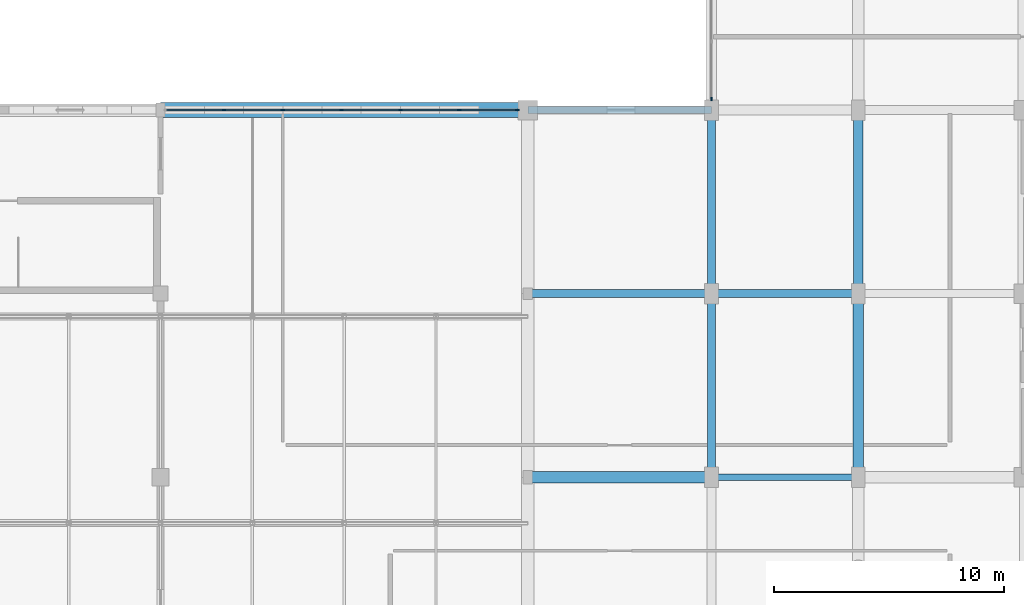
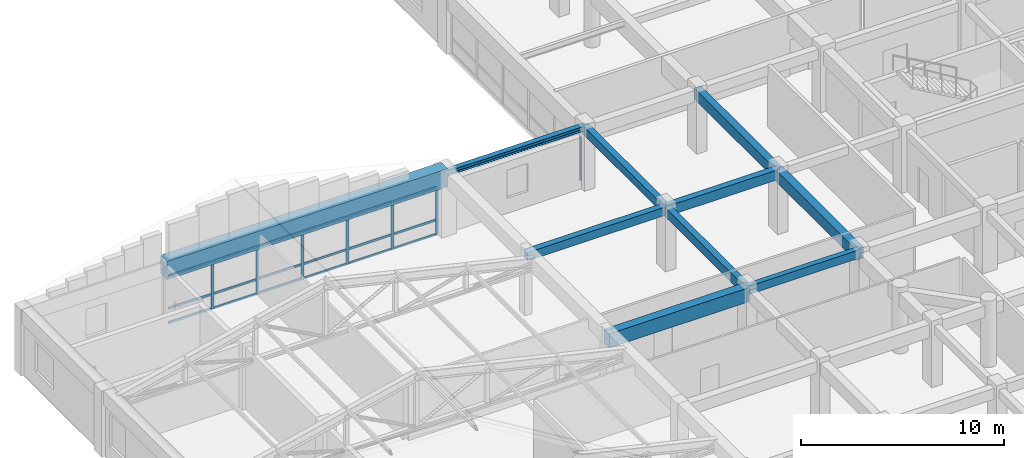
# One storey, part 7 of 27: 25 members, 10 beams, 2 elements without a shape of their own.
"""IFC4 building model written with IfcOpenShell, lengths in metres."""

from ifc_helpers import new_model, si_unit, direction, frame, origin, origin_2d, place, context, subcontext, project, spatial, rectangle, i_section, extrude, material, material_profile, profile_set, type_object, element, aggregate, save


model = new_model("IFC4")

# Units and contexts
model_context = context("Model", 3, precision=1e-05, world=origin(), true_north=direction((0.0, 1.0)))
body_context = subcontext(model_context, "Body", "Model", "MODEL_VIEW")
ifc_project = project(units=[si_unit("LENGTHUNIT", "METRE"), si_unit("AREAUNIT", "SQUARE_METRE"), si_unit("VOLUMEUNIT", "CUBIC_METRE"), si_unit("PLANEANGLEUNIT", "RADIAN"), si_unit("MASSUNIT", "GRAM", prefix="KILO")], contexts=[model_context])

# Site, building, storey
site_placement = place(None, origin())
site = spatial("IfcSite", under=ifc_project, at=site_placement, CompositionType="ELEMENT")
building_placement = place(site_placement, origin())
building = spatial("IfcBuilding", under=site, at=building_placement, Name="Vellmiral Cinema and Media Centre", CompositionType="ELEMENT")
storey_placement = place(building_placement, frame((0.0, 0.0, 19.800048828125)))
storey = spatial("IfcBuildingStorey", under=building, at=storey_placement, Name="L04", CompositionType="ELEMENT", Elevation=19.800048828125)

# Beams
ifc_material_1 = material(Name="Concrete C40/50", Category="concrete")
ifc_material_profile_1 = material_profile(ifc_material_1, rectangle(XDim=0.300048828125, YDim=0.5, at=origin_2d()), Name="RC 300x500")
ifc_profile_set_1 = profile_set([ifc_material_profile_1], Name="Concrete C40/50")
beam_type_1 = type_object("IfcBeamType", Name="BM-RC-300x500", PredefinedType="BEAM", material=ifc_profile_set_1)
beam_1_placement = place(storey_placement, frame((110.39990234375, 79.199951171875, 3.445068359375), z_axis=(1.0, 0.0, 0.0), x_axis=(0.0, 1.0, 0.0)))
element("IfcBeam", 1, at=beam_1_placement, inside=storey, type_object=beam_type_1, Name="Grid Beam L04-X025", PredefinedType="BEAM", context=body_context, shape_type="SweptSolid", body=[
    extrude(rectangle(XDim=0.300048828125, YDim=0.5, at=origin_2d()), origin(), (0.0, 0.0, 1.0), 6.400146484375),
])
ifc_material_2 = material(Name="Concrete C40/50", Category="concrete")
ifc_material_profile_2 = material_profile(ifc_material_2, rectangle(XDim=0.35009765625, YDim=0.5, at=origin_2d()), Name="RC 350x500")
ifc_profile_set_2 = profile_set([ifc_material_profile_2], Name="Concrete C40/50")
beam_type_2 = type_object("IfcBeamType", Name="BM-RC-350x500", PredefinedType="BEAM", material=ifc_profile_set_2)
for number, where, z_axis, x_axis, name in (
    (2, (102.39990234375, 87.199951171875, 3.445068359375), (1.0, 0.0, 0.0), (0.0, 1.0, 0.0), "Grid Beam L04-X032"),
    (3, (110.39990234375, 87.199951171875, 3.445068359375), (0.0, 1.0, 0.0), (-1.0, 0.0, 0.0), "Grid Beam L04-Y065"),
):
    element("IfcBeam", number, at=place(storey_placement, frame(where, z_axis=z_axis, x_axis=x_axis)), inside=storey, type_object=beam_type_2, Name=name, PredefinedType="BEAM", context=body_context, shape_type="SweptSolid", body=[
        extrude(rectangle(XDim=0.35009765625, YDim=0.5, at=origin_2d()), origin(), (0.0, 0.0, 1.0), 8.0),
    ])
ifc_material_3 = material(Name="Concrete C40/50", Category="concrete")
ifc_material_profile_3 = material_profile(ifc_material_3, rectangle(XDim=0.35009765625, YDim=0.550048828125, at=origin_2d()), Name="RC 350x550")
ifc_profile_set_3 = profile_set([ifc_material_profile_3], Name="Concrete C40/50")
beam_type_3 = type_object("IfcBeamType", Name="BM-RC-350x550", PredefinedType="BEAM", material=ifc_profile_set_3)
beam_2_placement = place(storey_placement, frame((110.39990234375, 79.199951171875, 3.419921875), z_axis=(0.0, 1.0, 0.0), x_axis=(-1.0, 0.0, 0.0)))
element("IfcBeam", 4, at=beam_2_placement, inside=storey, type_object=beam_type_3, Name="Grid Beam L04-Y064", PredefinedType="BEAM", context=body_context, shape_type="SweptSolid", body=[
    extrude(rectangle(XDim=0.35009765625, YDim=0.550048828125, at=origin_2d()), origin(), (0.0, 0.0, 1.0), 8.0),
])
ifc_material_4 = material(Name="Concrete C40/50", Category="concrete")
ifc_material_profile_4 = material_profile(ifc_material_4, rectangle(XDim=0.35009765625, YDim=0.60009765625, at=origin_2d()), Name="RC 350x600")
ifc_profile_set_4 = profile_set([ifc_material_profile_4], Name="Concrete C40/50")
beam_type_4 = type_object("IfcBeamType", Name="BM-RC-350x600", PredefinedType="BEAM", material=ifc_profile_set_4)
beam_3_placement = place(storey_placement, frame((110.39990234375, 87.199951171875, 3.39501953125), z_axis=(1.0, 0.0, 0.0), x_axis=(0.0, 1.0, 0.0)))
element("IfcBeam", 5, at=beam_3_placement, inside=storey, type_object=beam_type_4, Name="Grid Beam L04-X033", PredefinedType="BEAM", context=body_context, shape_type="SweptSolid", body=[
    extrude(rectangle(XDim=0.35009765625, YDim=0.60009765625, at=origin_2d()), origin(), (0.0, 0.0, 1.0), 6.400146484375),
])
ifc_material_5 = material(Name="Concrete C40/50", Category="concrete")
ifc_material_profile_5 = material_profile(ifc_material_5, rectangle(XDim=0.39990234375, YDim=0.64990234375, at=origin_2d()), Name="RC 400x650")
ifc_profile_set_5 = profile_set([ifc_material_profile_5], Name="Concrete C40/50")
beam_type_5 = type_object("IfcBeamType", Name="BM-RC-400x650", PredefinedType="BEAM", material=ifc_profile_set_5)
beam_4_placement = place(storey_placement, frame((116.800048828125, 87.199951171875, 3.369873046875), z_axis=(0.0, 1.0, 0.0), x_axis=(-1.0, 0.0, 0.0)))
element("IfcBeam", 6, at=beam_4_placement, inside=storey, type_object=beam_type_5, Name="Grid Beam L04-Y072", PredefinedType="BEAM", context=body_context, shape_type="SweptSolid", body=[
    extrude(rectangle(XDim=0.39990234375, YDim=0.64990234375, at=origin_2d()), origin(), (0.0, 0.0, 1.0), 8.0),
])
ifc_material_6 = material(Name="Concrete C40/50", Category="concrete")
ifc_material_profile_6 = material_profile(ifc_material_6, rectangle(XDim=0.449951171875, YDim=0.699951171875, at=origin_2d()), Name="RC 450x700")
ifc_profile_set_6 = profile_set([ifc_material_profile_6], Name="Concrete C40/50")
beam_type_6 = type_object("IfcBeamType", Name="BM-RC-450x700", PredefinedType="BEAM", material=ifc_profile_set_6)
beam_5_placement = place(storey_placement, frame((116.800048828125, 79.199951171875, 3.344970703125), z_axis=(0.0, 1.0, 0.0), x_axis=(-1.0, 0.0, 0.0)))
element("IfcBeam", 7, at=beam_5_placement, inside=storey, type_object=beam_type_6, Name="Grid Beam L04-Y071", PredefinedType="BEAM", context=body_context, shape_type="SweptSolid", body=[
    extrude(rectangle(XDim=0.449951171875, YDim=0.699951171875, at=origin_2d()), origin(), (0.0, 0.0, 1.0), 8.0),
])
ifc_material_7 = material(Name="Concrete C40/50", Category="concrete")
ifc_material_profile_7 = material_profile(ifc_material_7, rectangle(XDim=0.5, YDim=0.85009765625, at=origin_2d()), Name="RC 500x850")
ifc_profile_set_7 = profile_set([ifc_material_profile_7], Name="Concrete C40/50")
beam_type_7 = type_object("IfcBeamType", Name="BM-RC-500x850", PredefinedType="BEAM", material=ifc_profile_set_7)
beam_6_placement = place(storey_placement, frame((102.39990234375, 79.199951171875, 3.27001953125), z_axis=(1.0, 0.0, 0.0), x_axis=(0.0, 1.0, 0.0)))
element("IfcBeam", 8, at=beam_6_placement, inside=storey, type_object=beam_type_7, Name="Grid Beam L04-X024", PredefinedType="BEAM", context=body_context, shape_type="SweptSolid", body=[
    extrude(rectangle(XDim=0.5, YDim=0.85009765625, at=origin_2d()), origin(), (0.0, 0.0, 1.0), 8.0),
])

# Curtain wall, member
ifc_material_8 = material(Name="Thermally Broken Aluminium and Triple Glazing", Category="aluminium")
curtain_wall_type_1 = type_object("IfcCurtainWallType", Name="CW-TOWER-LOW-N", PredefinedType="USERDEFINED", material=ifc_material_8)
curtain_wall_1_placement = place(storey_placement, origin())
curtain_wall_1 = element("IfcCurtainWall", 9, at=curtain_wall_1_placement, inside=storey, type_object=curtain_wall_type_1, Name="Curtain Wall L04-B029", ObjectType="UNITISED CURTAIN WALL", PredefinedType="USERDEFINED")
ifc_material_9 = material(Name="Thermally Broken Anodised Aluminium", Category="aluminium")
ifc_material_profile_8 = material_profile(ifc_material_9, rectangle(XDim=0.06494140625, YDim=0.159912109375, at=origin_2d()), Name="MULL 65x160")
ifc_profile_set_8 = profile_set([ifc_material_profile_8], Name="Thermally Broken Anodised Aluminium")
member_type_1 = type_object("IfcMemberType", Name="CWM-65x160", PredefinedType="MULLION", material=ifc_profile_set_8)
member_1_placement = place(storey_placement, frame((110.39990234375, 95.6826171875, 0.0), z_axis=(0.0, 0.0, 1.0), x_axis=(1.0, 0.0, 0.0)))
member_1 = element("IfcMember", 10, at=member_1_placement, type_object=member_type_1, Name="CW-05 mullion 6", PredefinedType="MULLION", context=body_context, shape_type="SweptSolid", body=[
    extrude(rectangle(XDim=0.06494140625, YDim=0.159912109375, at=origin_2d()), origin(), (0.0, 0.0, 1.0), 2.635009765625),
])
aggregate(curtain_wall_1, [member_1])

# Curtain wall, members
ifc_material_10 = material(Name="Thermally Broken Aluminium and Triple Glazing", Category="aluminium")
curtain_wall_type_2 = type_object("IfcCurtainWallType", Name="CW-TOWER-LOW-S", PredefinedType="USERDEFINED", material=ifc_material_10)
curtain_wall_2_placement = place(storey_placement, origin())
curtain_wall_2 = element("IfcCurtainWall", 11, at=curtain_wall_2_placement, inside=storey, type_object=curtain_wall_type_2, Name="Curtain Wall L04-B031", ObjectType="UNITISED CURTAIN WALL", PredefinedType="USERDEFINED")
member_2_placement = place(storey_placement, frame((101.9423828125, 95.199951171875, 0.0), z_axis=(0.0, 0.0, 1.0), x_axis=(0.0, -1.0, 0.0)))
member_2 = element("IfcMember", 12, at=member_2_placement, type_object=member_type_1, Name="CW-06 mullion 1", PredefinedType="MULLION", context=body_context, shape_type="SweptSolid", body=[
    extrude(rectangle(XDim=0.06494140625, YDim=0.159912109375, at=origin_2d()), origin(), (0.0, 0.0, 1.0), 2.889892578125),
])
member_3_placement = place(storey_placement, frame((99.41259765625, 95.199951171875, 0.0), z_axis=(0.0, 0.0, 1.0), x_axis=(0.0, -1.0, 0.0)))
member_3 = element("IfcMember", 13, at=member_3_placement, type_object=member_type_1, Name="CW-06 mullion 2", PredefinedType="MULLION", context=body_context, shape_type="SweptSolid", body=[
    extrude(rectangle(XDim=0.06494140625, YDim=0.159912109375, at=origin_2d()), origin(), (0.0, 0.0, 1.0), 2.889892578125),
])
member_4_placement = place(storey_placement, frame((96.85009765625, 95.199951171875, 0.0), z_axis=(0.0, 0.0, 1.0), x_axis=(0.0, -1.0, 0.0)))
member_4 = element("IfcMember", 14, at=member_4_placement, type_object=member_type_1, Name="CW-06 mullion 3", PredefinedType="MULLION", context=body_context, shape_type="SweptSolid", body=[
    extrude(rectangle(XDim=0.06494140625, YDim=0.159912109375, at=origin_2d()), origin(), (0.0, 0.0, 1.0), 2.889892578125),
])
member_5_placement = place(storey_placement, frame((94.28759765625, 95.199951171875, 0.0), z_axis=(0.0, 0.0, 1.0), x_axis=(0.0, -1.0, 0.0)))
member_5 = element("IfcMember", 15, at=member_5_placement, type_object=member_type_1, Name="CW-06 mullion 4", PredefinedType="MULLION", context=body_context, shape_type="SweptSolid", body=[
    extrude(rectangle(XDim=0.06494140625, YDim=0.159912109375, at=origin_2d()), origin(), (0.0, 0.0, 1.0), 2.889892578125),
])
member_6_placement = place(storey_placement, frame((91.72509765625, 95.199951171875, 0.0), z_axis=(0.0, 0.0, 1.0), x_axis=(0.0, -1.0, 0.0)))
member_6 = element("IfcMember", 16, at=member_6_placement, type_object=member_type_1, Name="CW-06 mullion 5", PredefinedType="MULLION", context=body_context, shape_type="SweptSolid", body=[
    extrude(rectangle(XDim=0.06494140625, YDim=0.159912109375, at=origin_2d()), origin(), (0.0, 0.0, 1.0), 2.889892578125),
])
member_7_placement = place(storey_placement, frame((89.16259765625, 95.199951171875, 0.0), z_axis=(0.0, 0.0, 1.0), x_axis=(0.0, -1.0, 0.0)))
member_7 = element("IfcMember", 17, at=member_7_placement, type_object=member_type_1, Name="CW-06 mullion 6", PredefinedType="MULLION", context=body_context, shape_type="SweptSolid", body=[
    extrude(rectangle(XDim=0.06494140625, YDim=0.159912109375, at=origin_2d()), origin(), (0.0, 0.0, 1.0), 2.889892578125),
])
ifc_material_11 = material(Name="Thermally Broken Anodised Aluminium", Category="aluminium")
ifc_material_profile_9 = material_profile(ifc_material_11, rectangle(XDim=0.06494140625, YDim=0.135009765625, at=origin_2d()), Name="MULL 65x135")
ifc_profile_set_9 = profile_set([ifc_material_profile_9], Name="Thermally Broken Anodised Aluminium")
member_type_2 = type_object("IfcMemberType", Name="CWT-65x135", PredefinedType="USERDEFINED", material=ifc_profile_set_9)
member_8_placement = place(storey_placement, frame((101.909912109375, 95.199951171875, 0.032470703125), z_axis=(-1.0, 0.0, 0.0), x_axis=(0.0, -1.0, 0.0)))
member_8 = element("IfcMember", 18, at=member_8_placement, type_object=member_type_2, Name="CW-06 transom 1.1", ObjectType="TRANSOM", PredefinedType="USERDEFINED", context=body_context, shape_type="SweptSolid", body=[
    extrude(rectangle(XDim=0.06494140625, YDim=0.135009765625, at=origin_2d()), origin(), (0.0, 0.0, 1.0), 2.46484375),
])
member_9_placement = place(storey_placement, frame((101.909912109375, 95.199951171875, 0.89990234375), z_axis=(-1.0, 0.0, 0.0), x_axis=(0.0, -1.0, 0.0)))
member_9 = element("IfcMember", 19, at=member_9_placement, type_object=member_type_2, Name="CW-06 transom 1.2", ObjectType="TRANSOM", PredefinedType="USERDEFINED", context=body_context, shape_type="SweptSolid", body=[
    extrude(rectangle(XDim=0.06494140625, YDim=0.135009765625, at=origin_2d()), origin(), (0.0, 0.0, 1.0), 2.46484375),
])
member_10_placement = place(storey_placement, frame((101.909912109375, 95.199951171875, 2.857421875), z_axis=(-1.0, 0.0, 0.0), x_axis=(0.0, -1.0, 0.0)))
member_10 = element("IfcMember", 20, at=member_10_placement, type_object=member_type_2, Name="CW-06 transom 1.3", ObjectType="TRANSOM", PredefinedType="USERDEFINED", context=body_context, shape_type="SweptSolid", body=[
    extrude(rectangle(XDim=0.06494140625, YDim=0.135009765625, at=origin_2d()), origin(), (0.0, 0.0, 1.0), 2.46484375),
])
member_11_placement = place(storey_placement, frame((99.3798828125, 95.199951171875, 0.032470703125), z_axis=(-1.0, 0.0, 0.0), x_axis=(0.0, -1.0, 0.0)))
member_11 = element("IfcMember", 21, at=member_11_placement, type_object=member_type_2, Name="CW-06 transom 2.1", ObjectType="TRANSOM", PredefinedType="USERDEFINED", context=body_context, shape_type="SweptSolid", body=[
    extrude(rectangle(XDim=0.06494140625, YDim=0.135009765625, at=origin_2d()), origin(), (0.0, 0.0, 1.0), 2.497314453125),
])
member_12_placement = place(storey_placement, frame((99.3798828125, 95.199951171875, 0.89990234375), z_axis=(-1.0, 0.0, 0.0), x_axis=(0.0, -1.0, 0.0)))
member_12 = element("IfcMember", 22, at=member_12_placement, type_object=member_type_2, Name="CW-06 transom 2.2", ObjectType="TRANSOM", PredefinedType="USERDEFINED", context=body_context, shape_type="SweptSolid", body=[
    extrude(rectangle(XDim=0.06494140625, YDim=0.135009765625, at=origin_2d()), origin(), (0.0, 0.0, 1.0), 2.497314453125),
])
member_13_placement = place(storey_placement, frame((99.3798828125, 95.199951171875, 2.857421875), z_axis=(-1.0, 0.0, 0.0), x_axis=(0.0, -1.0, 0.0)))
member_13 = element("IfcMember", 23, at=member_13_placement, type_object=member_type_2, Name="CW-06 transom 2.3", ObjectType="TRANSOM", PredefinedType="USERDEFINED", context=body_context, shape_type="SweptSolid", body=[
    extrude(rectangle(XDim=0.06494140625, YDim=0.135009765625, at=origin_2d()), origin(), (0.0, 0.0, 1.0), 2.497314453125),
])
member_14_placement = place(storey_placement, frame((96.8173828125, 95.199951171875, 0.032470703125), z_axis=(-1.0, 0.0, 0.0), x_axis=(0.0, -1.0, 0.0)))
member_14 = element("IfcMember", 24, at=member_14_placement, type_object=member_type_2, Name="CW-06 transom 3.1", ObjectType="TRANSOM", PredefinedType="USERDEFINED", context=body_context, shape_type="SweptSolid", body=[
    extrude(rectangle(XDim=0.06494140625, YDim=0.135009765625, at=origin_2d()), origin(), (0.0, 0.0, 1.0), 2.497314453125),
])
member_15_placement = place(storey_placement, frame((96.8173828125, 95.199951171875, 0.89990234375), z_axis=(-1.0, 0.0, 0.0), x_axis=(0.0, -1.0, 0.0)))
member_15 = element("IfcMember", 25, at=member_15_placement, type_object=member_type_2, Name="CW-06 transom 3.2", ObjectType="TRANSOM", PredefinedType="USERDEFINED", context=body_context, shape_type="SweptSolid", body=[
    extrude(rectangle(XDim=0.06494140625, YDim=0.135009765625, at=origin_2d()), origin(), (0.0, 0.0, 1.0), 2.497314453125),
])
member_16_placement = place(storey_placement, frame((96.8173828125, 95.199951171875, 2.857421875), z_axis=(-1.0, 0.0, 0.0), x_axis=(0.0, -1.0, 0.0)))
member_16 = element("IfcMember", 26, at=member_16_placement, type_object=member_type_2, Name="CW-06 transom 3.3", ObjectType="TRANSOM", PredefinedType="USERDEFINED", context=body_context, shape_type="SweptSolid", body=[
    extrude(rectangle(XDim=0.06494140625, YDim=0.135009765625, at=origin_2d()), origin(), (0.0, 0.0, 1.0), 2.497314453125),
])
member_17_placement = place(storey_placement, frame((94.2548828125, 95.199951171875, 0.032470703125), z_axis=(-1.0, 0.0, 0.0), x_axis=(0.0, -1.0, 0.0)))
member_17 = element("IfcMember", 27, at=member_17_placement, type_object=member_type_2, Name="CW-06 transom 4.1", ObjectType="TRANSOM", PredefinedType="USERDEFINED", context=body_context, shape_type="SweptSolid", body=[
    extrude(rectangle(XDim=0.06494140625, YDim=0.135009765625, at=origin_2d()), origin(), (0.0, 0.0, 1.0), 2.497314453125),
])
member_18_placement = place(storey_placement, frame((94.2548828125, 95.199951171875, 0.89990234375), z_axis=(-1.0, 0.0, 0.0), x_axis=(0.0, -1.0, 0.0)))
member_18 = element("IfcMember", 28, at=member_18_placement, type_object=member_type_2, Name="CW-06 transom 4.2", ObjectType="TRANSOM", PredefinedType="USERDEFINED", context=body_context, shape_type="SweptSolid", body=[
    extrude(rectangle(XDim=0.06494140625, YDim=0.135009765625, at=origin_2d()), origin(), (0.0, 0.0, 1.0), 2.497314453125),
])
member_19_placement = place(storey_placement, frame((94.2548828125, 95.199951171875, 2.857421875), z_axis=(-1.0, 0.0, 0.0), x_axis=(0.0, -1.0, 0.0)))
member_19 = element("IfcMember", 29, at=member_19_placement, type_object=member_type_2, Name="CW-06 transom 4.3", ObjectType="TRANSOM", PredefinedType="USERDEFINED", context=body_context, shape_type="SweptSolid", body=[
    extrude(rectangle(XDim=0.06494140625, YDim=0.135009765625, at=origin_2d()), origin(), (0.0, 0.0, 1.0), 2.497314453125),
])
member_20_placement = place(storey_placement, frame((91.6923828125, 95.199951171875, 0.032470703125), z_axis=(-1.0, 0.0, 0.0), x_axis=(0.0, -1.0, 0.0)))
member_20 = element("IfcMember", 30, at=member_20_placement, type_object=member_type_2, Name="CW-06 transom 5.1", ObjectType="TRANSOM", PredefinedType="USERDEFINED", context=body_context, shape_type="SweptSolid", body=[
    extrude(rectangle(XDim=0.06494140625, YDim=0.135009765625, at=origin_2d()), origin(), (0.0, 0.0, 1.0), 2.497314453125),
])
member_21_placement = place(storey_placement, frame((91.6923828125, 95.199951171875, 0.89990234375), z_axis=(-1.0, 0.0, 0.0), x_axis=(0.0, -1.0, 0.0)))
member_21 = element("IfcMember", 31, at=member_21_placement, type_object=member_type_2, Name="CW-06 transom 5.2", ObjectType="TRANSOM", PredefinedType="USERDEFINED", context=body_context, shape_type="SweptSolid", body=[
    extrude(rectangle(XDim=0.06494140625, YDim=0.135009765625, at=origin_2d()), origin(), (0.0, 0.0, 1.0), 2.497314453125),
])
member_22_placement = place(storey_placement, frame((91.6923828125, 95.199951171875, 2.857421875), z_axis=(-1.0, 0.0, 0.0), x_axis=(0.0, -1.0, 0.0)))
member_22 = element("IfcMember", 32, at=member_22_placement, type_object=member_type_2, Name="CW-06 transom 5.3", ObjectType="TRANSOM", PredefinedType="USERDEFINED", context=body_context, shape_type="SweptSolid", body=[
    extrude(rectangle(XDim=0.06494140625, YDim=0.135009765625, at=origin_2d()), origin(), (0.0, 0.0, 1.0), 2.497314453125),
])
member_23_placement = place(storey_placement, frame((89.1298828125, 95.199951171875, 0.032470703125), z_axis=(-1.0, 0.0, 0.0), x_axis=(0.0, -1.0, 0.0)))
member_23 = element("IfcMember", 33, at=member_23_placement, type_object=member_type_2, Name="CW-06 transom 6.1", ObjectType="TRANSOM", PredefinedType="USERDEFINED", context=body_context, shape_type="SweptSolid", body=[
    extrude(rectangle(XDim=0.06494140625, YDim=0.135009765625, at=origin_2d()), origin(), (0.0, 0.0, 1.0), 2.46484375),
])
member_24_placement = place(storey_placement, frame((89.1298828125, 95.199951171875, 0.89990234375), z_axis=(-1.0, 0.0, 0.0), x_axis=(0.0, -1.0, 0.0)))
member_24 = element("IfcMember", 34, at=member_24_placement, type_object=member_type_2, Name="CW-06 transom 6.2", ObjectType="TRANSOM", PredefinedType="USERDEFINED", context=body_context, shape_type="SweptSolid", body=[
    extrude(rectangle(XDim=0.06494140625, YDim=0.135009765625, at=origin_2d()), origin(), (0.0, 0.0, 1.0), 2.46484375),
])
member_25_placement = place(storey_placement, frame((89.1298828125, 95.199951171875, 2.857421875), z_axis=(-1.0, 0.0, 0.0), x_axis=(0.0, -1.0, 0.0)))
member_25 = element("IfcMember", 35, at=member_25_placement, type_object=member_type_2, Name="CW-06 transom 6.3", ObjectType="TRANSOM", PredefinedType="USERDEFINED", context=body_context, shape_type="SweptSolid", body=[
    extrude(rectangle(XDim=0.06494140625, YDim=0.135009765625, at=origin_2d()), origin(), (0.0, 0.0, 1.0), 2.46484375),
])
aggregate(curtain_wall_2, [member_2, member_3, member_4, member_5, member_6, member_7, member_8, member_9, member_10, member_11, member_12, member_13, member_14, member_15, member_16, member_17, member_18, member_19, member_20, member_21, member_22, member_23, member_24, member_25])

# Beams
ifc_material_12 = material(Name="Concrete C40/50", Category="concrete")
ifc_material_profile_10 = material_profile(ifc_material_12, rectangle(XDim=0.64990234375, YDim=1.10009765625, at=origin_2d()), Name="RC 650x1100")
ifc_profile_set_10 = profile_set([ifc_material_profile_10], Name="Concrete C40/50")
beam_type_8 = type_object("IfcBeamType", Name="RING-BMG-650x1100", PredefinedType="BEAM", material=ifc_profile_set_10)
beam_7_placement = place(storey_placement, frame((86.39990234375, 95.199951171875, 3.449951171875), z_axis=(1.0, 0.0, 0.0), x_axis=(0.0, 1.0, 0.0)))
element("IfcBeam", 36, at=beam_7_placement, inside=storey, type_object=beam_type_8, Name="Stepped Broadcast Bridge Barrel Vault Ring Beam 04", PredefinedType="BEAM", context=body_context, shape_type="SweptSolid", body=[
    extrude(rectangle(XDim=0.64990234375, YDim=1.10009765625, at=origin_2d()), origin(), (0.0, 0.0, 1.0), 16.0),
])
ifc_material_13 = material(Name="Steel S355", Category="steel")
ifc_material_profile_11 = material_profile(ifc_material_13, i_section(OverallWidth=0.300048828125, OverallDepth=0.300048828125, WebThickness=0.010986328125, FlangeThickness=0.01904296875, FilletRadius=0.027099609375, at=origin_2d()), Name="HEB 300")
ifc_profile_set_11 = profile_set([ifc_material_profile_11], Name="Steel S355")
beam_type_9 = type_object("IfcBeamType", Name="SBM-HEB300", PredefinedType="SPANDREL", material=ifc_profile_set_11)
beam_8_placement = place(storey_placement, frame((102.39990234375, 95.199951171875, 3.544921875), z_axis=(1.0, 0.0, 0.0), x_axis=(0.0, 1.0, 0.0)))
element("IfcBeam", 37, at=beam_8_placement, inside=storey, type_object=beam_type_9, Name="Grid Beam L04-X040", PredefinedType="SPANDREL", context=body_context, shape_type="SweptSolid", body=[
    extrude(i_section(OverallWidth=0.300048828125, OverallDepth=0.300048828125, WebThickness=0.010986328125, FlangeThickness=0.01904296875, FilletRadius=0.027099609375, at=origin_2d()), origin(), (0.0, 0.0, 1.0), 8.0),
])

save(model, "model.ifc")
